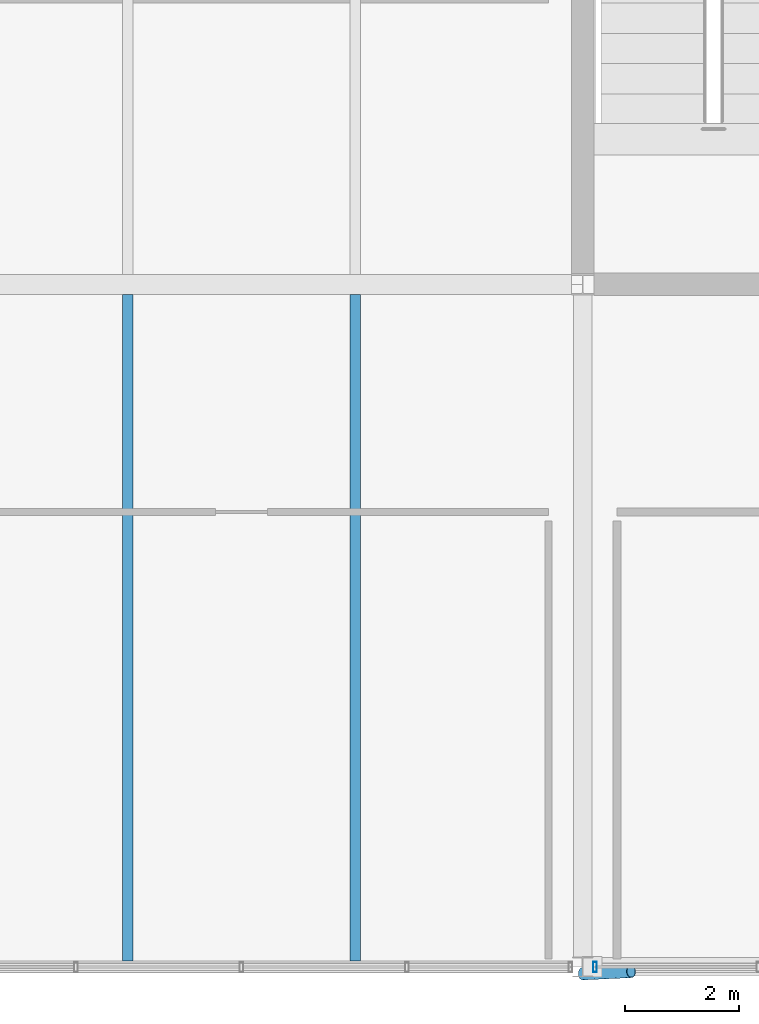
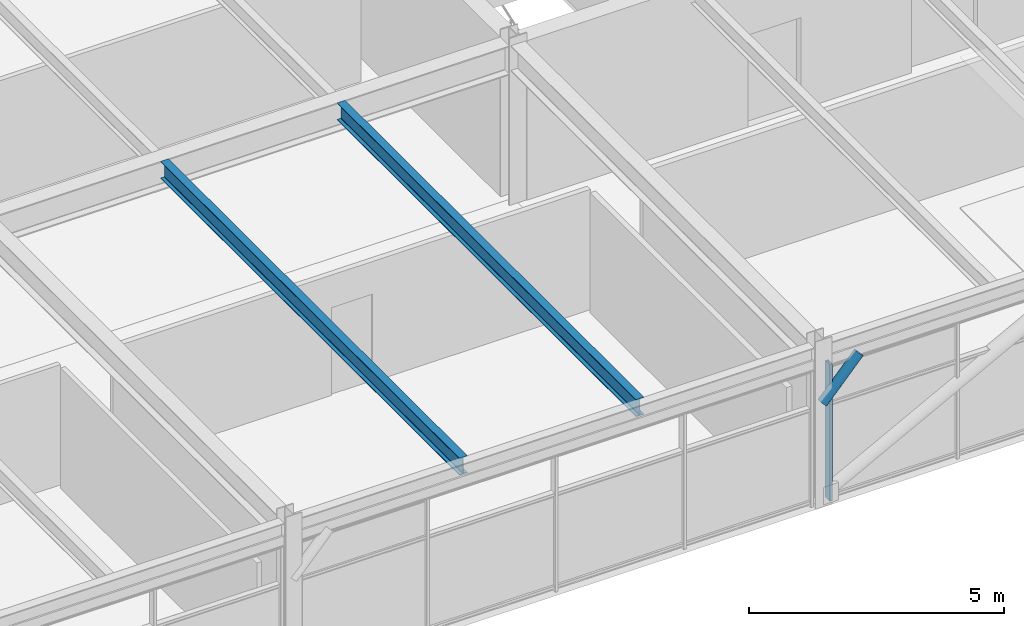
# One storey, part 26 of 40: 2 beams, 2 members, 1 element without a shape of its own.
"""IFC4 building model written with IfcOpenShell, lengths in metres."""

from ifc_helpers import new_model, si_unit, direction, frame, origin, origin_2d, place, context, subcontext, project, spatial, hollow_rectangle, hollow_circle, i_section, extrude, material, material_profile, profile_set, type_object, element, aggregate, save


model = new_model("IFC4")

# Units and contexts
model_context = context("Model", 3, precision=1e-05, world=origin(), true_north=direction((0.0, 1.0)))
body_context = subcontext(model_context, "Body", "Model", "MODEL_VIEW")
ifc_project = project(units=[si_unit("LENGTHUNIT", "METRE"), si_unit("AREAUNIT", "SQUARE_METRE"), si_unit("VOLUMEUNIT", "CUBIC_METRE"), si_unit("PLANEANGLEUNIT", "RADIAN"), si_unit("MASSUNIT", "GRAM", prefix="KILO")], contexts=[model_context])

# Site, building, storey
site_placement = place(None, origin())
site = spatial("IfcSite", under=ifc_project, at=site_placement, CompositionType="ELEMENT")
building_placement = place(site_placement, origin())
building = spatial("IfcBuilding", under=site, at=building_placement, Name="Girod Span Mobility Hub", CompositionType="ELEMENT")
storey_placement = place(building_placement, frame((0.0, 0.0, 53.60009765625)))
storey = spatial("IfcBuildingStorey", under=building, at=storey_placement, Name="L13", CompositionType="ELEMENT", Elevation=53.60009765625)

# Beams
ifc_material_1 = material(Name="Steel A992 Grade 50", Category="steel")
ifc_material_profile_1 = material_profile(ifc_material_1, i_section(OverallWidth=0.178955078125, OverallDepth=0.409912109375, WebThickness=0.0087890625, FlangeThickness=0.014404296875, FilletRadius=0.012939453125, at=origin_2d()), Name="W16X45")
ifc_profile_set_1 = profile_set([ifc_material_profile_1], Name="Steel A992 Grade 50")
beam_type = type_object("IfcBeamType", Name="BM-STL-W16X45", PredefinedType="BEAM", material=ifc_profile_set_1)
for number, where, z_axis, x_axis, name in (
    (1, (100.0, 45.10302734375, 3.60986328125), (0.0, 1.0, 0.0), (-1.0, 0.0, 0.0), "Composite Floorbeam 9/D-1 L13"),
    (2, (104.0, 45.10302734375, 3.60986328125), (0.0, 1.0, 0.0), (-1.0, 0.0, 0.0), "Composite Floorbeam 9/D-2 L13"),
):
    element("IfcBeam", number, at=place(storey_placement, frame(where, z_axis=z_axis, x_axis=x_axis)), inside=storey, type_object=beam_type, Name=name, PredefinedType="BEAM", context=body_context, shape_type="SweptSolid", body=[
        extrude(i_section(OverallWidth=0.178955078125, OverallDepth=0.409912109375, WebThickness=0.0087890625, FlangeThickness=0.014404296875, FilletRadius=0.012939453125, at=origin_2d()), origin(), (0.0, 0.0, 1.0), 11.722412109375),
    ])

# Curtain wall, member
ifc_material_2 = material(Name="Thermally Broken Anodised Aluminium", Category="aluminium")
curtain_wall_type = type_object("IfcCurtainWallType", Name="CW-1164X327", PredefinedType="USERDEFINED", material=ifc_material_2)
curtain_wall_placement = place(storey_placement, origin())
curtain_wall = element("IfcCurtainWall", 3, at=curtain_wall_placement, inside=storey, type_object=curtain_wall_type, Name="Unitised Curtain Wall CW-L13-S10 L13", ObjectType="UNITISED CURTAIN WALL", PredefinedType="USERDEFINED")
ifc_material_3 = material(Name="Thermally Broken Anodised Aluminium", Category="aluminium")
ifc_material_profile_2 = material_profile(ifc_material_3, hollow_rectangle(XDim=0.179931640625, YDim=0.06494140625, WallThickness=0.00390625, InnerFilletRadius=0.00390625, OuterFilletRadius=0.008056640625, at=origin_2d()), Name="CW-ML-65X180")
ifc_profile_set_2 = profile_set([ifc_material_profile_2], Name="Thermally Broken Anodised Aluminium")
member_type_1 = type_object("IfcMemberType", Name="CWM-ML-2", PredefinedType="MULLION", material=ifc_profile_set_2)
member_1_placement = place(storey_placement, frame((108.214599609375, 45.0, 0.0), z_axis=(0.0, 0.0, 1.0), x_axis=(0.0, 1.0, 0.0)))
member_1 = element("IfcMember", 4, at=member_1_placement, type_object=member_type_1, Name="Curtain Wall Mullion CW-L13-S10-M0", PredefinedType="MULLION", context=body_context, shape_type="SweptSolid", body=[
    extrude(hollow_rectangle(XDim=0.179931640625, YDim=0.06494140625, WallThickness=0.00390625, InnerFilletRadius=0.00390625, OuterFilletRadius=0.008056640625, at=origin_2d()), origin(), (0.0, 0.0, 1.0), 3.27099609375),
])
aggregate(curtain_wall, [member_1])

# Member
ifc_material_4 = material(Name="Steel HSS A500 Grade C", Category="steel")
ifc_material_profile_3 = material_profile(ifc_material_4, hollow_circle(Radius=0.109619140625, WallThickness=0.0087890625, at=origin_2d()), Name="HSS219X9.5")
ifc_profile_set_3 = profile_set([ifc_material_profile_3], Name="Steel HSS A500 Grade C")
member_type_2 = type_object("IfcMemberType", Name="MB-ST-HSS219", PredefinedType="STRUT", material=ifc_profile_set_3)
member_2_placement = place(storey_placement, frame((108.0, 44.8798828125, 2.449951171875), z_axis=(0.692370429022, 0.032610209753, 0.720804941184), x_axis=(-0.047047213483, 0.998892666758, 0.0)))
element("IfcMember", 5, at=member_2_placement, inside=storey, type_object=member_type_2, Name="Solar Shading Knee Strut 10 L13", PredefinedType="STRUT", context=body_context, shape_type="SweptSolid", body=[
    extrude(hollow_circle(Radius=0.109619140625, WallThickness=0.0087890625, at=origin_2d()), origin(), (0.0, 0.0, 1.0), 1.227783203125),
])

save(model, "model.ifc")
